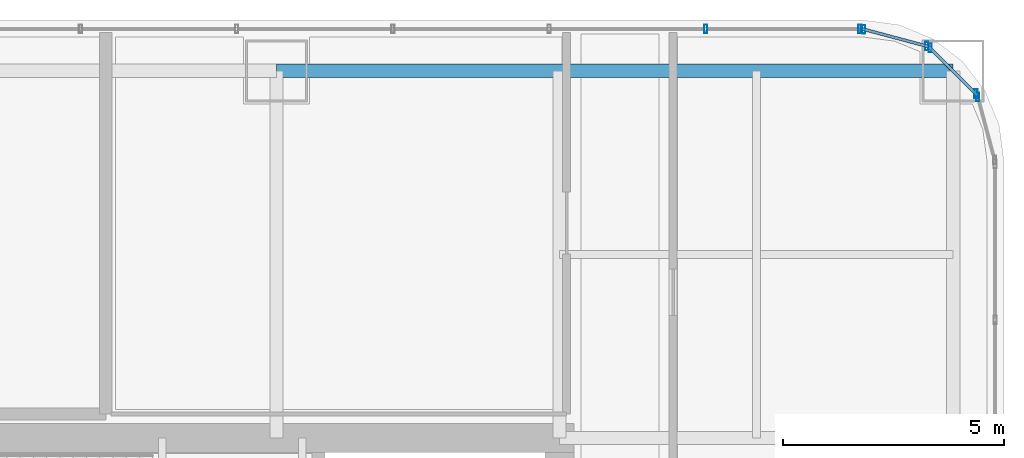
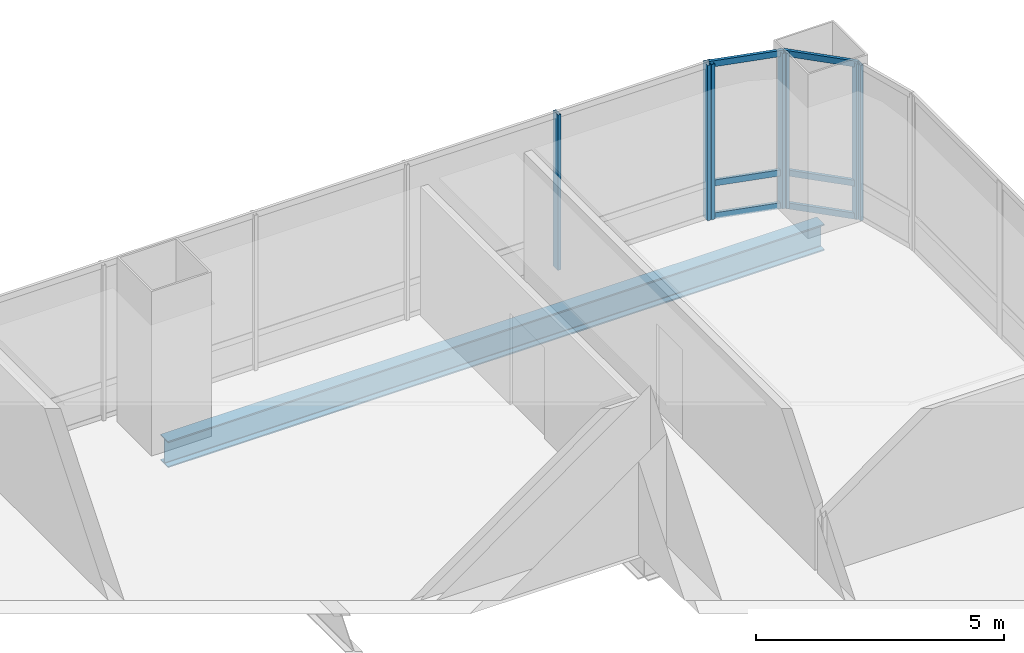
# One storey, part 26 of 36: 13 members, 1 beam, 4 elements without a shape of their own.
"""IFC4 building model written with IfcOpenShell, lengths in metres."""

from ifc_helpers import new_model, si_unit, direction, frame, origin, origin_2d, place, context, subcontext, project, spatial, hollow_rectangle, i_section, extrude, material, material_profile, profile_set, type_object, element, aggregate, save


model = new_model("IFC4")

# Units and contexts
model_context = context("Model", 3, precision=1e-05, world=origin(), true_north=direction((0.0, 1.0)))
body_context = subcontext(model_context, "Body", "Model", "MODEL_VIEW")
ifc_project = project(units=[si_unit("LENGTHUNIT", "METRE"), si_unit("AREAUNIT", "SQUARE_METRE"), si_unit("VOLUMEUNIT", "CUBIC_METRE"), si_unit("PLANEANGLEUNIT", "RADIAN"), si_unit("MASSUNIT", "GRAM", prefix="KILO")], contexts=[model_context])

# Site, building, storey
site_placement = place(None, origin())
site = spatial("IfcSite", under=ifc_project, at=site_placement, CompositionType="ELEMENT")
building_placement = place(site_placement, origin())
building = spatial("IfcBuilding", under=site, at=building_placement, Name="Punatoya Terracotta Tower", CompositionType="ELEMENT")
storey_placement = place(building_placement, frame((0.0, 0.0, 176.25)))
storey = spatial("IfcBuildingStorey", under=building, at=storey_placement, Name="L41", CompositionType="ELEMENT", Elevation=176.25)

# Beam
ifc_material_1 = material(Name="Steel S355", Category="steel")
ifc_material_profile_1 = material_profile(ifc_material_1, i_section(OverallWidth=0.300048828125, OverallDepth=0.64990234375, WebThickness=0.01611328125, FlangeThickness=0.031005859375, FilletRadius=0.01806640625, at=origin_2d()))
ifc_profile_set_1 = profile_set([ifc_material_profile_1], Name="Steel S355")
beam_type = type_object("IfcBeamType", Name="BM-PRI-650", PredefinedType="BEAM", material=ifc_profile_set_1)
beam_placement = place(storey_placement, frame((3.800048828125, 17.5, -0.544921875), z_axis=(1.0, 0.0, 0.0), x_axis=(0.0, 1.0, 0.0)))
element("IfcBeam", 1, at=beam_placement, inside=storey, type_object=beam_type, Name="BM-L41-RG-N3", PredefinedType="BEAM", context=body_context, shape_type="SweptSolid", body=[
    extrude(i_section(OverallWidth=0.300048828125, OverallDepth=0.64990234375, WebThickness=0.01611328125, FlangeThickness=0.031005859375, FilletRadius=0.01806640625, at=origin_2d()), origin(), (0.0, 0.0, 1.0), 15.300048828125),
])

# Curtain wall, member
ifc_material_2 = material(Name="Aluminium 6063-T6 + Double Low-E Glass", Category="aluminium")
curtain_wall_type = type_object("IfcCurtainWallType", Name="CW-M2", PredefinedType="NOTDEFINED", material=ifc_material_2)
curtain_wall_1_placement = place(storey_placement, origin())
curtain_wall_1 = element("IfcCurtainWall", 2, at=curtain_wall_1_placement, inside=storey, type_object=curtain_wall_type, Name="L41 Curtain Wall CW-L41-CRN06", PredefinedType="NOTDEFINED")
ifc_material_3 = material(Name="Aluminium 6063-T6", Category="aluminium")
ifc_material_profile_2 = material_profile(ifc_material_3, hollow_rectangle(XDim=0.072021484375, YDim=0.195068359375, WallThickness=0.00439453125, at=origin_2d()))
ifc_profile_set_2 = profile_set([ifc_material_profile_2], Name="Aluminium 6063-T6")
member_type_1 = type_object("IfcMemberType", Name="CW-MUL-M2", PredefinedType="MULLION", material=ifc_profile_set_2)
member_1_placement = place(storey_placement, frame((19.658203125, 16.905517578125, 0.0), z_axis=(0.0, 0.0, 1.0), x_axis=(1.0, 0.0, 0.0)))
member_1 = element("IfcMember", 3, at=member_1_placement, type_object=member_type_1, Name="CW-L41-CRN06 Mullion 01", PredefinedType="MULLION", context=body_context, shape_type="SweptSolid", body=[
    extrude(hollow_rectangle(XDim=0.072021484375, YDim=0.195068359375, WallThickness=0.00439453125, at=origin_2d()), origin(), (0.0, 0.0, 1.0), 3.830078125),
])
aggregate(curtain_wall_1, [member_1])

# Curtain wall, members
curtain_wall_2_placement = place(storey_placement, origin())
curtain_wall_2 = element("IfcCurtainWall", 4, at=curtain_wall_2_placement, inside=storey, type_object=curtain_wall_type, Name="L41 Curtain Wall CW-L41-CRN07", PredefinedType="NOTDEFINED")
member_2_placement = place(storey_placement, frame((19.61474609375, 16.98095703125, 0.0), z_axis=(0.0, 0.0, 1.0), x_axis=(1.0, 0.0, 0.0)))
member_2 = element("IfcMember", 5, at=member_2_placement, type_object=member_type_1, Name="CW-L41-CRN07 Mullion 00", PredefinedType="MULLION", context=body_context, shape_type="SweptSolid", body=[
    extrude(hollow_rectangle(XDim=0.072021484375, YDim=0.195068359375, WallThickness=0.00439453125, at=origin_2d()), origin(), (0.0, 0.0, 1.0), 3.830078125),
])
member_3_placement = place(storey_placement, frame((18.580810546875, 18.014892578125, 0.0), z_axis=(0.0, 0.0, 1.0), x_axis=(1.0, 0.0, 0.0)))
member_3 = element("IfcMember", 6, at=member_3_placement, type_object=member_type_1, Name="CW-L41-CRN07 Mullion 01", PredefinedType="MULLION", context=body_context, shape_type="SweptSolid", body=[
    extrude(hollow_rectangle(XDim=0.072021484375, YDim=0.195068359375, WallThickness=0.00439453125, at=origin_2d()), origin(), (0.0, 0.0, 1.0), 3.830078125),
])

curtain_wall_3_placement = place(storey_placement, origin())
curtain_wall_3 = element("IfcCurtainWall", 7, at=curtain_wall_3_placement, inside=storey, type_object=curtain_wall_type, Name="L41 Curtain Wall CW-L41-CRN08", PredefinedType="NOTDEFINED")
member_4_placement = place(storey_placement, frame((18.505615234375, 18.05810546875, 0.0), z_axis=(0.0, 0.0, 1.0), x_axis=(1.0, 0.0, 0.0)))
member_4 = element("IfcMember", 8, at=member_4_placement, type_object=member_type_1, Name="CW-L41-CRN08 Mullion 00", PredefinedType="MULLION", context=body_context, shape_type="SweptSolid", body=[
    extrude(hollow_rectangle(XDim=0.072021484375, YDim=0.195068359375, WallThickness=0.00439453125, at=origin_2d()), origin(), (0.0, 0.0, 1.0), 3.830078125),
])
member_5_placement = place(storey_placement, frame((17.080322265625, 18.4384765625, 0.0), z_axis=(0.0, 0.0, 1.0), x_axis=(1.0, 0.0, 0.0)))
member_5 = element("IfcMember", 9, at=member_5_placement, type_object=member_type_1, Name="CW-L41-CRN08 Mullion 01", PredefinedType="MULLION", context=body_context, shape_type="SweptSolid", body=[
    extrude(hollow_rectangle(XDim=0.072021484375, YDim=0.195068359375, WallThickness=0.00439453125, at=origin_2d()), origin(), (0.0, 0.0, 1.0), 3.830078125),
])

curtain_wall_4_placement = place(storey_placement, origin())
curtain_wall_4 = element("IfcCurtainWall", 10, at=curtain_wall_4_placement, inside=storey, type_object=curtain_wall_type, Name="L41 Curtain Wall CW-L41-N09-1", PredefinedType="NOTDEFINED")
member_6_placement = place(storey_placement, frame((16.991943359375, 18.449951171875, 0.0), z_axis=(0.0, 0.0, 1.0), x_axis=(1.0, 0.0, 0.0)))
member_6 = element("IfcMember", 11, at=member_6_placement, type_object=member_type_1, Name="CW-L41-N09-1 Mullion 00", PredefinedType="MULLION", context=body_context, shape_type="SweptSolid", body=[
    extrude(hollow_rectangle(XDim=0.072021484375, YDim=0.195068359375, WallThickness=0.00439453125, at=origin_2d()), origin(), (0.0, 0.0, 1.0), 3.830078125),
])
member_7_placement = place(storey_placement, frame((13.5029296875, 18.449951171875, 0.0), z_axis=(0.0, 0.0, 1.0), x_axis=(1.0, 0.0, 0.0)))
member_7 = element("IfcMember", 12, at=member_7_placement, type_object=member_type_1, Name="CW-L41-N09-1 Mullion 01", PredefinedType="MULLION", context=body_context, shape_type="SweptSolid", body=[
    extrude(hollow_rectangle(XDim=0.072021484375, YDim=0.195068359375, WallThickness=0.00439453125, at=origin_2d()), origin(), (0.0, 0.0, 1.0), 3.830078125),
])
aggregate(curtain_wall_4, [member_6, member_7])

# Member
ifc_material_profile_3 = material_profile(ifc_material_3, hollow_rectangle(XDim=0.068115234375, YDim=0.14990234375, WallThickness=0.00390625, at=origin_2d()))
ifc_profile_set_3 = profile_set([ifc_material_profile_3], Name="Aluminium 6063-T6")
member_type_2 = type_object("IfcMemberType", Name="CW-TRN-TYP", PredefinedType="USERDEFINED", material=ifc_profile_set_3)
member_8_placement = place(storey_placement, frame((19.646484375, 16.94921875, 0.0400390625), z_axis=(-0.707106781187, 0.707106781187, 0.0), x_axis=(-0.707106781187, -0.707106781187, 0.0)))
member_8 = element("IfcMember", 13, at=member_8_placement, type_object=member_type_2, Name="CW-L41-CRN07 Transom 1", ObjectType="TRANSOM", PredefinedType="USERDEFINED", context=body_context, shape_type="SweptSolid", body=[
    extrude(hollow_rectangle(XDim=0.068115234375, YDim=0.14990234375, WallThickness=0.00390625, at=origin_2d()), origin(), (0.0, 0.0, 1.0), 1.552001953125),
])

member_9_placement = place(storey_placement, frame((19.646484375, 16.94921875, 0.85009765625), z_axis=(-0.707106781187, 0.707106781187, 0.0), x_axis=(-0.707106781187, -0.707106781187, 0.0)))
member_9 = element("IfcMember", 14, at=member_9_placement, type_object=member_type_2, Name="CW-L41-CRN07 Transom 2", ObjectType="TRANSOM", PredefinedType="USERDEFINED", context=body_context, shape_type="SweptSolid", body=[
    extrude(hollow_rectangle(XDim=0.068115234375, YDim=0.14990234375, WallThickness=0.00390625, at=origin_2d()), origin(), (0.0, 0.0, 1.0), 1.552001953125),
])

member_10_placement = place(storey_placement, frame((19.646484375, 16.94921875, 3.7900390625), z_axis=(-0.707106781187, 0.707106781187, 0.0), x_axis=(-0.707106781187, -0.707106781187, 0.0)))
member_10 = element("IfcMember", 15, at=member_10_placement, type_object=member_type_2, Name="CW-L41-CRN07 Transom 3", ObjectType="TRANSOM", PredefinedType="USERDEFINED", context=body_context, shape_type="SweptSolid", body=[
    extrude(hollow_rectangle(XDim=0.068115234375, YDim=0.14990234375, WallThickness=0.00390625, at=origin_2d()), origin(), (0.0, 0.0, 1.0), 1.552001953125),
])

aggregate(curtain_wall_2, [member_2, member_3, member_8, member_9, member_10])

member_11_placement = place(storey_placement, frame((18.549072265625, 18.046630859375, 0.0400390625), z_axis=(-0.966224582397, 0.257701486942, 0.0), x_axis=(-0.257701486942, -0.966224582397, 0.0)))
member_11 = element("IfcMember", 16, at=member_11_placement, type_object=member_type_2, Name="CW-L41-CRN08 Transom 1", ObjectType="TRANSOM", PredefinedType="USERDEFINED", context=body_context, shape_type="SweptSolid", body=[
    extrude(hollow_rectangle(XDim=0.068115234375, YDim=0.14990234375, WallThickness=0.00390625, at=origin_2d()), origin(), (0.0, 0.0, 1.0), 1.565185546875),
])

member_12_placement = place(storey_placement, frame((18.549072265625, 18.046630859375, 0.85009765625), z_axis=(-0.966224582397, 0.257701486942, 0.0), x_axis=(-0.257701486942, -0.966224582397, 0.0)))
member_12 = element("IfcMember", 17, at=member_12_placement, type_object=member_type_2, Name="CW-L41-CRN08 Transom 2", ObjectType="TRANSOM", PredefinedType="USERDEFINED", context=body_context, shape_type="SweptSolid", body=[
    extrude(hollow_rectangle(XDim=0.068115234375, YDim=0.14990234375, WallThickness=0.00390625, at=origin_2d()), origin(), (0.0, 0.0, 1.0), 1.565185546875),
])

member_13_placement = place(storey_placement, frame((18.549072265625, 18.046630859375, 3.7900390625), z_axis=(-0.966224582397, 0.257701486942, 0.0), x_axis=(-0.257701486942, -0.966224582397, 0.0)))
member_13 = element("IfcMember", 18, at=member_13_placement, type_object=member_type_2, Name="CW-L41-CRN08 Transom 3", ObjectType="TRANSOM", PredefinedType="USERDEFINED", context=body_context, shape_type="SweptSolid", body=[
    extrude(hollow_rectangle(XDim=0.068115234375, YDim=0.14990234375, WallThickness=0.00390625, at=origin_2d()), origin(), (0.0, 0.0, 1.0), 1.565185546875),
])

aggregate(curtain_wall_3, [member_4, member_5, member_11, member_12, member_13])

save(model, "model.ifc")
